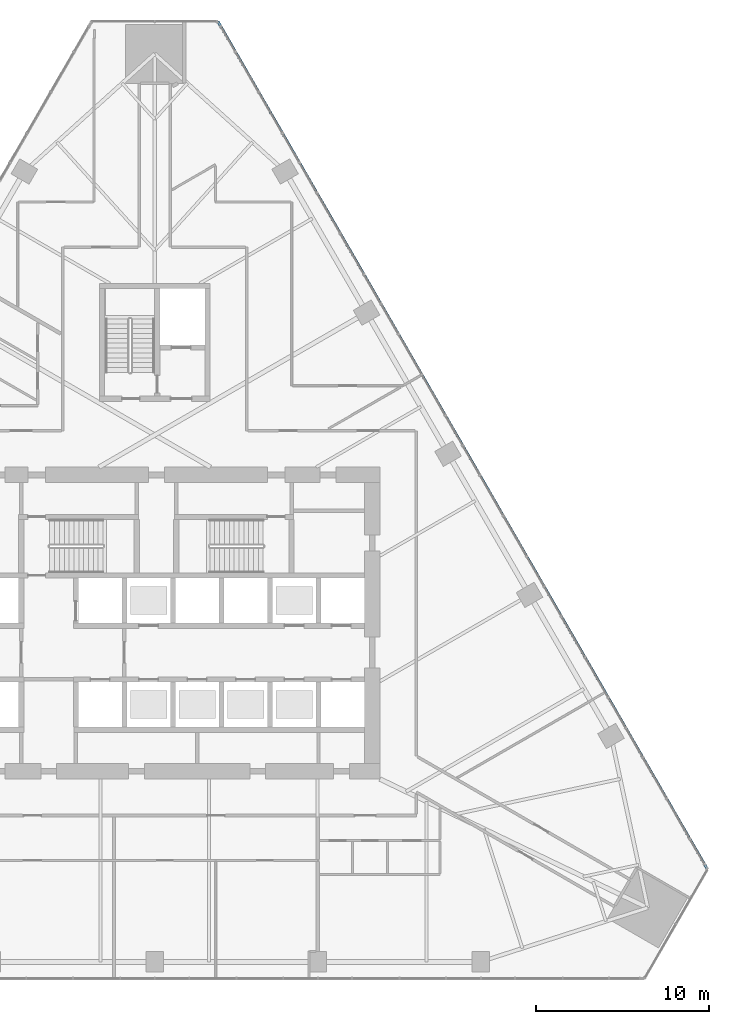
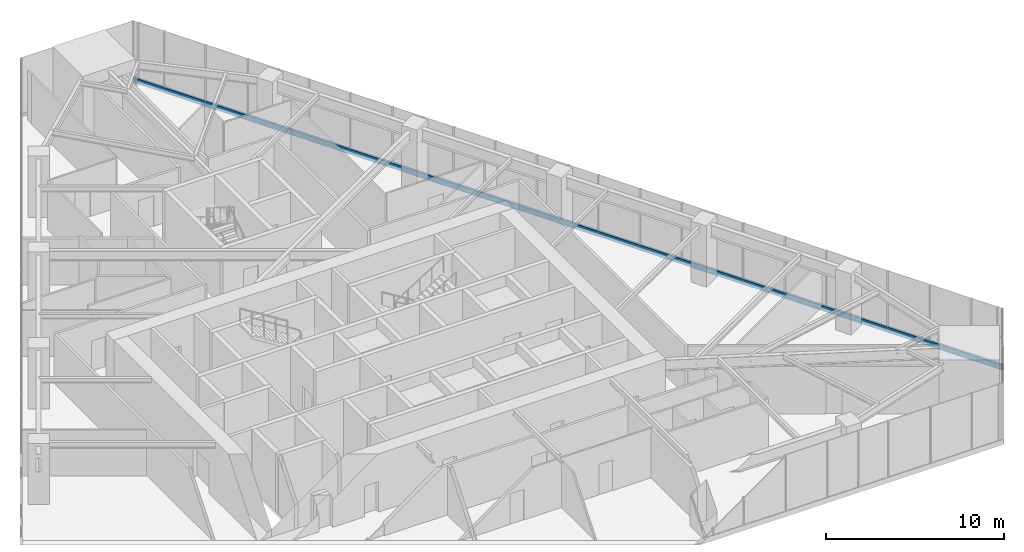
# One storey, part 8 of 21: 1 member, 1 element without a shape of its own.
"""IFC4 building model written with IfcOpenShell, lengths in metres."""

from ifc_helpers import new_model, si_unit, direction, frame, origin, origin_2d, place, context, subcontext, project, spatial, rectangle, extrude, material, layer, layer_set, material_profile, profile_set, type_object, element, aggregate, save


model = new_model("IFC4")

# Units and contexts
model_context = context("Model", 3, precision=1e-05, world=origin(), true_north=direction((0.0, 1.0)))
body_context = subcontext(model_context, "Body", "Model", "MODEL_VIEW")
ifc_project = project(units=[si_unit("LENGTHUNIT", "METRE"), si_unit("AREAUNIT", "SQUARE_METRE"), si_unit("VOLUMEUNIT", "CUBIC_METRE"), si_unit("PLANEANGLEUNIT", "RADIAN"), si_unit("MASSUNIT", "GRAM", prefix="KILO")], contexts=[model_context])

# Site, building, storey
site_placement = place(None, origin())
site = spatial("IfcSite", under=ifc_project, at=site_placement, CompositionType="ELEMENT")
building_placement = place(site_placement, origin())
building = spatial("IfcBuilding", under=site, at=building_placement, Name="Firuza Gate Tower and Library", CompositionType="ELEMENT")
storey_placement = place(building_placement, frame((0.0, 0.0, 94.60009765625)))
storey = spatial("IfcBuildingStorey", under=building, at=storey_placement, Name="L21", CompositionType="ELEMENT", Elevation=94.60009765625)

# Curtain wall, member
ifc_material_1 = material(Name="Aluminium 6063-T6", Category="aluminium")
ifc_layer = layer(ifc_material_1, 0.14990234375)
ifc_layer_set = layer_set([ifc_layer], Name="Unitised curtain wall, offices")
curtain_wall_type = type_object("IfcCurtainWallType", Name="Unitised curtain wall, offices", PredefinedType="NOTDEFINED", material=ifc_layer_set)
curtain_wall_placement = place(storey_placement, origin())
curtain_wall = element("IfcCurtainWall", 1, at=curtain_wall_placement, inside=storey, type_object=curtain_wall_type, Name="CW1 L21 E face", PredefinedType="NOTDEFINED")
ifc_material_2 = material(Name="Aluminium 6063-T6", Category="aluminium")
ifc_material_profile = material_profile(ifc_material_2, rectangle(XDim=0.14990234375, YDim=0.35009765625, at=origin_2d()))
ifc_profile_set = profile_set([ifc_material_profile], Name="Aluminium 6063-T6")
member_type = type_object("IfcMemberType", Name="Curtain wall transom 350x150", PredefinedType="USERDEFINED", material=ifc_profile_set)
member_placement = place(storey_placement, frame((106.896728515625, 60.791259765625, -0.025146484375), z_axis=(-0.499998712401, 0.866026147179, 0.0), x_axis=(-0.866026147179, -0.499998712401, 0.0)))
member = element("IfcMember", 2, at=member_placement, type_object=member_type, Name="Transom", ObjectType="TRANSOM", PredefinedType="USERDEFINED", context=body_context, shape_type="SweptSolid", body=[
    extrude(rectangle(XDim=0.14990234375, YDim=0.35009765625, at=origin_2d()), origin(), (0.0, 0.0, 1.0), 56.507080078125),
])
aggregate(curtain_wall, [member])

save(model, "model.ifc")
